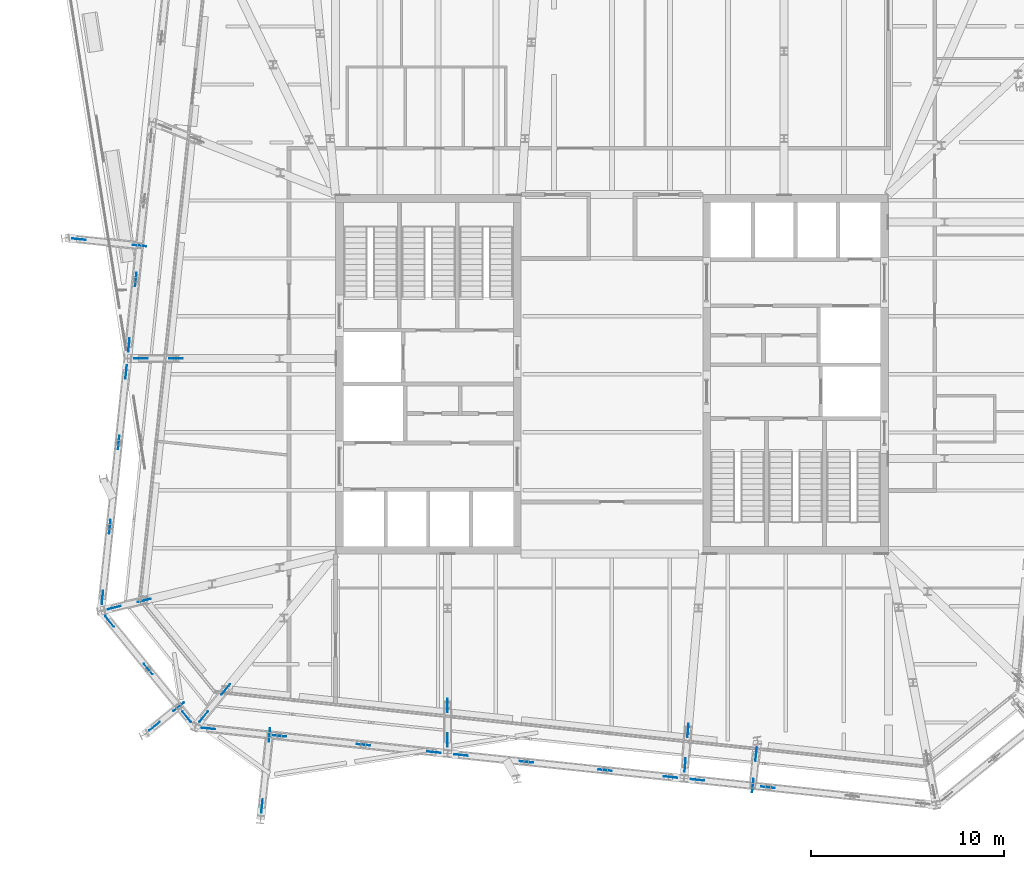
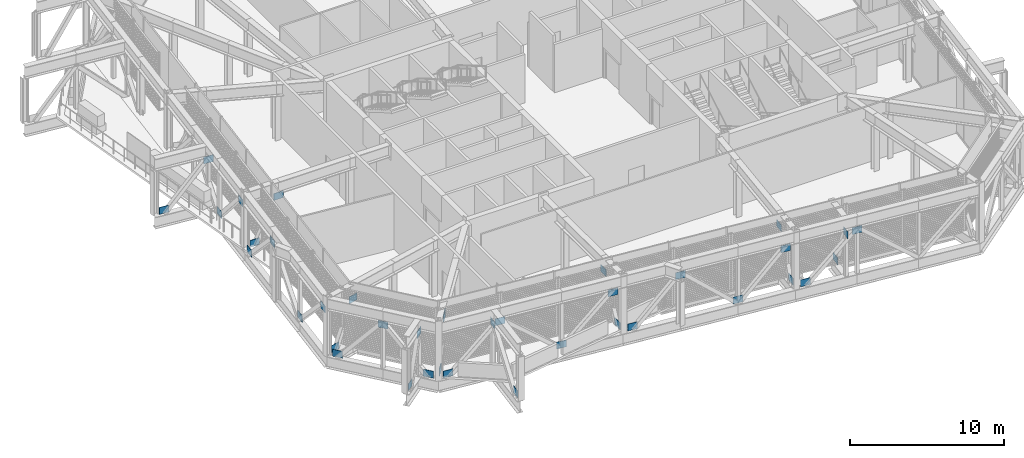
# One storey, part 30 of 36: 37 discrete accessories.
"""IFC4 building model written with IfcOpenShell, lengths in metres."""

from ifc_helpers import new_model, si_unit, direction, frame, origin, origin_2d, place, context, subcontext, project, spatial, rectangle, extrude, material, layer, layer_set, type_object, element, save


model = new_model("IFC4")

# Units and contexts
model_context = context("Model", 3, precision=1e-05, world=origin(), true_north=direction((0.0, 1.0)))
body_context = subcontext(model_context, "Body", "Model", "MODEL_VIEW")
ifc_project = project(units=[si_unit("LENGTHUNIT", "METRE"), si_unit("AREAUNIT", "SQUARE_METRE"), si_unit("VOLUMEUNIT", "CUBIC_METRE"), si_unit("PLANEANGLEUNIT", "RADIAN"), si_unit("MASSUNIT", "GRAM", prefix="KILO")], contexts=[model_context])

# Site, building, storey
site_placement = place(None, origin())
site = spatial("IfcSite", under=ifc_project, at=site_placement, CompositionType="ELEMENT")
building_placement = place(site_placement, origin())
building = spatial("IfcBuilding", under=site, at=building_placement, Name="Millrace Tower", CompositionType="ELEMENT")
storey_placement = place(building_placement, frame((0.0, 0.0, 271.39990234375)))
storey = spatial("IfcBuildingStorey", under=building, at=storey_placement, Name="L62", CompositionType="ELEMENT", Elevation=271.39990234375)

# Discrete accessories
ifc_material = material(Name="Steel ASTM A572 Grade 50", Category="steel")
ifc_layer = layer(ifc_material, 0.02490234375)
ifc_layer_set = layer_set([ifc_layer], Name="Steel ASTM A572 Grade 50")
discrete_accessory_type = type_object("IfcDiscreteAccessoryType", Name="Truss gusset plate 700x550x25", PredefinedType="BRACKET", material=ifc_layer_set)
for number, where, z_axis, x_axis, name in (
    (1, (-26.209228515625, -12.5078125, 0.114990234375), (0.629278502617, -0.777179880172, 0.0), (0.777179880172, 0.629278502617, 0.0), "Truss gusset plate TRS-L62-R01-D01 foot"),
    (2, (-24.215087890625, -14.970458984375, 3.2177734375), (0.629489125943, -0.777009292299, 0.0), (0.777009292299, 0.629489125943, 0.0), "Truss gusset plate TRS-L62-R01-D01 head"),
    (3, (-22.220703125, -17.433349609375, 0.114990234375), (0.629278502617, -0.777179880172, 0.0), (0.777179880172, 0.629278502617, 0.0), "Truss gusset plate TRS-L62-R01-D02 foot"),
):
    element("IfcDiscreteAccessory", number, at=place(storey_placement, frame(where, z_axis=z_axis, x_axis=x_axis)), inside=storey, type_object=discrete_accessory_type, Name=name, PredefinedType="BRACKET", context=body_context, shape_type="SweptSolid", body=[
        extrude(rectangle(XDim=0.02490234375, YDim=0.550048828125, at=origin_2d()), origin(), (0.0, 0.0, 1.0), 0.699951171875),
    ])
for number, where, z_axis, x_axis, name in (
    (4, (-21.2119140625, -18.285888671875, 0.114990234375), (0.994549313552, -0.104267266743, 0.0), (0.104267266743, 0.994549313552, 0.0), "Truss gusset plate TRS-L62-R02-D01 foot"),
    (5, (-17.555908203125, -18.670166015625, 3.2177734375), (0.99451309317, -0.104612176701, 0.0), (0.104612176701, 0.99451309317, 0.0), "Truss gusset plate TRS-L62-R02-D01 head"),
):
    element("IfcDiscreteAccessory", number, at=place(storey_placement, frame(where, z_axis=z_axis, x_axis=x_axis)), inside=storey, type_object=discrete_accessory_type, Name=name, PredefinedType="BRACKET", context=body_context, shape_type="SweptSolid", body=[
        extrude(rectangle(XDim=0.02490234375, YDim=0.550048828125, at=origin_2d()), origin(), (0.0, 0.0, 1.0), 0.7001953125),
    ])
for number, where, z_axis, x_axis, name in (
    (6, (-13.20361328125, -19.127685546875, 0.114990234375), (0.994545520413, -0.10430344111, 0.0), (0.10430344111, 0.994545520413, 0.0), "Truss gusset plate TRS-L62-R02-D02 foot"),
    (7, (-9.547607421875, -19.51171875, 3.2177734375), (0.994509275033, -0.104648468085, 0.0), (0.104648468085, 0.994509275033, 0.0), "Truss gusset plate TRS-L62-R02-D03 head"),
):
    element("IfcDiscreteAccessory", number, at=place(storey_placement, frame(where, z_axis=z_axis, x_axis=x_axis)), inside=storey, type_object=discrete_accessory_type, Name=name, PredefinedType="BRACKET", context=body_context, shape_type="SweptSolid", body=[
        extrude(rectangle(XDim=0.02490234375, YDim=0.550048828125, at=origin_2d()), origin(), (0.0, 0.0, 1.0), 0.699951171875),
    ])
discrete_accessory_1_placement = place(storey_placement, frame((-8.1552734375, -19.658203125, 0.114990234375), z_axis=(0.994549313552, -0.104267266743, 0.0), x_axis=(0.104267266743, 0.994549313552, 0.0)))
element("IfcDiscreteAccessory", 8, at=discrete_accessory_1_placement, inside=storey, type_object=discrete_accessory_type, Name="Truss gusset plate TRS-L62-R03-D01 foot", PredefinedType="BRACKET", context=body_context, shape_type="SweptSolid", body=[
    extrude(rectangle(XDim=0.02490234375, YDim=0.550048828125, at=origin_2d()), origin(), (0.0, 0.0, 1.0), 0.7001953125),
])
for number, where, z_axis, x_axis, name in (
    (9, (-4.77392578125, -20.013427734375, 3.2177734375), (0.994509275033, -0.104648468085, 0.0), (0.104648468085, 0.994509275033, 0.0), "Truss gusset plate TRS-L62-R03-D01 head"),
    (10, (-0.6962890625, -20.442138671875, 0.114990234375), (0.994509275033, -0.104648468085, 0.0), (0.104648468085, 0.994509275033, 0.0), "Truss gusset plate TRS-L62-R03-D02 foot"),
    (11, (2.68505859375, -20.797607421875, 3.2177734375), (0.994545520413, -0.10430344111, 0.0), (0.10430344111, 0.994545520413, 0.0), "Truss gusset plate TRS-L62-R03-D03 head"),
    (12, (4.077392578125, -20.94384765625, 0.114990234375), (0.994509275033, -0.104648468085, 0.0), (0.104648468085, 0.994509275033, 0.0), "Truss gusset plate TRS-L62-R04-D01 foot"),
    (13, (7.7333984375, -21.328125, 3.2177734375), (0.994509275033, -0.104648468085, 0.0), (0.104648468085, 0.994509275033, 0.0), "Truss gusset plate TRS-L62-R04-D01 head"),
    (14, (-24.665283203125, 4.55029296875, 0.114990234375), (0.104648468085, 0.994509275033, 0.0), (-0.994509275033, 0.104648468085, 0.0), "Truss gusset plate TRS-L62-R15-D02 foot"),
    (15, (-25.020751953125, 1.1689453125, 3.2177734375), (0.104648468085, 0.994509275033, 0.0), (-0.994509275033, 0.104648468085, 0.0), "Truss gusset plate TRS-L62-R15-D03 head"),
    (16, (-25.1669921875, -0.223388671875, 0.114990234375), (0.10430344111, 0.994545520413, 0.0), (-0.994545520413, 0.10430344111, 0.0), "Truss gusset plate TRS-L62-R16-D01 foot"),
    (17, (-25.55126953125, -3.87939453125, 3.2177734375), (0.104648468085, 0.994509275033, 0.0), (-0.994509275033, 0.104648468085, 0.0), "Truss gusset plate TRS-L62-R16-D01 head"),
):
    element("IfcDiscreteAccessory", number, at=place(storey_placement, frame(where, z_axis=z_axis, x_axis=x_axis)), inside=storey, type_object=discrete_accessory_type, Name=name, PredefinedType="BRACKET", context=body_context, shape_type="SweptSolid", body=[
        extrude(rectangle(XDim=0.02490234375, YDim=0.550048828125, at=origin_2d()), origin(), (0.0, 0.0, 1.0), 0.699951171875),
    ])
for number, where, z_axis, x_axis, name in (
    (18, (-26.0087890625, -8.231689453125, 0.114990234375), (0.104612176701, 0.99451309317, 0.0), (-0.99451309317, 0.104612176701, 0.0), "Truss gusset plate TRS-L62-R16-D02 foot"),
    (19, (-26.39306640625, -11.8876953125, 3.2177734375), (0.104612176701, 0.99451309317, 0.0), (-0.99451309317, 0.104612176701, 0.0), "Truss gusset plate TRS-L62-R16-D03 head"),
):
    element("IfcDiscreteAccessory", number, at=place(storey_placement, frame(where, z_axis=z_axis, x_axis=x_axis)), inside=storey, type_object=discrete_accessory_type, Name=name, PredefinedType="BRACKET", context=body_context, shape_type="SweptSolid", body=[
        extrude(rectangle(XDim=0.02490234375, YDim=0.550048828125, at=origin_2d()), origin(), (0.0, 0.0, 1.0), 0.7001953125),
    ])
for number, where, z_axis, x_axis, name in (
    (20, (-26.08935546875, -12.1533203125, 0.114990234375), (0.971980625969, 0.235060976643, 0.0), (-0.235060976643, 0.971980625969, 0.0), "Truss gusset plate TRS-L62-C01-D01 foot"),
    (21, (-24.5341796875, -11.777099609375, 3.2177734375), (0.971881562639, 0.235470227847, 0.0), (-0.235470227847, 0.971881562639, 0.0), "Truss gusset plate TRS-L62-C01-D01 head"),
    (22, (-21.33935546875, -17.9775390625, 0.114990234375), (0.629870202712, 0.776700410542, 0.0), (-0.776700410542, 0.629870202712, 0.0), "Truss gusset plate TRS-L62-C02-D01 foot"),
    (23, (-20.205322265625, -16.57958984375, 3.2177734375), (0.629870202712, 0.776700410542, 0.0), (-0.776700410542, 0.629870202712, 0.0), "Truss gusset plate TRS-L62-C02-D01 head"),
    (24, (-8.50341796875, -19.271484375, 0.114990234375), (0.0, 1.0, 0.0), (-1.0, 0.0, 0.0), "Truss gusset plate TRS-L62-C03-D01 foot"),
):
    element("IfcDiscreteAccessory", number, at=place(storey_placement, frame(where, z_axis=z_axis, x_axis=x_axis)), inside=storey, type_object=discrete_accessory_type, Name=name, PredefinedType="BRACKET", context=body_context, shape_type="SweptSolid", body=[
        extrude(rectangle(XDim=0.02490234375, YDim=0.550048828125, at=origin_2d()), origin(), (0.0, 0.0, 1.0), 0.699951171875),
    ])
for number, where, z_axis, x_axis, name in (
    (25, (-8.50341796875, -17.4716796875, 3.2177734375), (0.0, 1.0, 0.0), (-1.0, 0.0, 0.0), "Truss gusset plate TRS-L62-C03-D01 head"),
    (26, (3.75830078125, -20.55859375, 0.114990234375), (0.08333403746, 0.99652166971, 0.0), (-0.99652166971, 0.08333403746, 0.0), "Truss gusset plate TRS-L62-C04-D01 foot"),
):
    element("IfcDiscreteAccessory", number, at=place(storey_placement, frame(where, z_axis=z_axis, x_axis=x_axis)), inside=storey, type_object=discrete_accessory_type, Name=name, PredefinedType="BRACKET", context=body_context, shape_type="SweptSolid", body=[
        extrude(rectangle(XDim=0.02490234375, YDim=0.550048828125, at=origin_2d()), origin(), (0.0, 0.0, 1.0), 0.7001953125),
    ])
for number, where, z_axis, x_axis, name in (
    (27, (3.908447265625, -18.7646484375, 3.2177734375), (0.083363003164, 0.996519247031, 0.0), (-0.996519247031, 0.083363003164, 0.0), "Truss gusset plate TRS-L62-C04-D01 head"),
    (28, (-24.707275390625, 0.82080078125, 0.114990234375), (1.0, 0.0, 0.0), (0.0, 1.0, 0.0), "Truss gusset plate TRS-L62-C16-D01 foot"),
    (29, (-22.9072265625, 0.82080078125, 3.2177734375), (1.0, 0.0, 0.0), (0.0, 1.0, 0.0), "Truss gusset plate TRS-L62-C16-D01 head"),
):
    element("IfcDiscreteAccessory", number, at=place(storey_placement, frame(where, z_axis=z_axis, x_axis=x_axis)), inside=storey, type_object=discrete_accessory_type, Name=name, PredefinedType="BRACKET", context=body_context, shape_type="SweptSolid", body=[
        extrude(rectangle(XDim=0.02490234375, YDim=0.550048828125, at=origin_2d()), origin(), (0.0, 0.0, 1.0), 0.699951171875),
    ])
discrete_accessory_2_placement = place(storey_placement, frame((-23.93408203125, -18.426025390625, 0.114990234375), z_axis=(0.777317955336, 0.629107936934, 0.0), x_axis=(-0.629107936934, 0.777317955336, 0.0)))
element("IfcDiscreteAccessory", 30, at=discrete_accessory_2_placement, inside=storey, type_object=discrete_accessory_type, Name="Truss gusset plate TRS-L62-B-D-X01-D01 foot", PredefinedType="BRACKET", context=body_context, shape_type="SweptSolid", body=[
    extrude(rectangle(XDim=0.02490234375, YDim=0.550048828125, at=origin_2d()), origin(), (0.0, 0.0, 1.0), 0.7001953125),
])
discrete_accessory_3_placement = place(storey_placement, frame((-22.685546875, -17.415283203125, 3.2177734375), z_axis=(0.777009292299, 0.629489125943, 0.0), x_axis=(-0.629489125943, 0.777009292299, 0.0)))
element("IfcDiscreteAccessory", 31, at=discrete_accessory_3_placement, inside=storey, type_object=discrete_accessory_type, Name="Truss gusset plate TRS-L62-B-D-X01-D01 head", PredefinedType="BRACKET", context=body_context, shape_type="SweptSolid", body=[
    extrude(rectangle(XDim=0.02490234375, YDim=0.550048828125, at=origin_2d()), origin(), (0.0, 0.0, 1.0), 0.699951171875),
])
discrete_accessory_4_placement = place(storey_placement, frame((-18.13818359375, -22.680419921875, 0.114990234375), z_axis=(0.104612176701, 0.99451309317, 0.0), x_axis=(-0.99451309317, 0.104612176701, 0.0)))
element("IfcDiscreteAccessory", 32, at=discrete_accessory_4_placement, inside=storey, type_object=discrete_accessory_type, Name="Truss gusset plate TRS-L62-B-D-X02-D01 foot", PredefinedType="BRACKET", context=body_context, shape_type="SweptSolid", body=[
    extrude(rectangle(XDim=0.02490234375, YDim=0.550048828125, at=origin_2d()), origin(), (0.0, 0.0, 1.0), 0.7001953125),
])
discrete_accessory_5_placement = place(storey_placement, frame((-17.75146484375, -19.00146484375, 3.2177734375), z_axis=(0.104648468085, 0.994509275033, 0.0), x_axis=(-0.994509275033, 0.104648468085, 0.0)))
element("IfcDiscreteAccessory", 33, at=discrete_accessory_5_placement, inside=storey, type_object=discrete_accessory_type, Name="Truss gusset plate TRS-L62-B-D-X02-D01 head", PredefinedType="BRACKET", context=body_context, shape_type="SweptSolid", body=[
    extrude(rectangle(XDim=0.02490234375, YDim=0.550048828125, at=origin_2d()), origin(), (0.0, 0.0, 1.0), 0.699951171875),
])
discrete_accessory_6_placement = place(storey_placement, frame((7.423583984375, -20.0009765625, 0.114990234375), z_axis=(0.104267266743, 0.994549313552, 0.0), x_axis=(-0.994549313552, 0.104267266743, 0.0)))
element("IfcDiscreteAccessory", 34, at=discrete_accessory_6_placement, inside=storey, type_object=discrete_accessory_type, Name="Truss gusset plate TRS-L62-B-D-X04-D01 foot", PredefinedType="BRACKET", context=body_context, shape_type="SweptSolid", body=[
    extrude(rectangle(XDim=0.02490234375, YDim=0.550048828125, at=origin_2d()), origin(), (0.0, 0.0, 1.0), 0.7001953125),
])
discrete_accessory_7_placement = place(storey_placement, frame((7.25244140625, -21.62939453125, 3.2177734375), z_axis=(0.10430344111, 0.994545520413, 0.0), x_axis=(-0.994545520413, 0.10430344111, 0.0)))
element("IfcDiscreteAccessory", 35, at=discrete_accessory_7_placement, inside=storey, type_object=discrete_accessory_type, Name="Truss gusset plate TRS-L62-B-D-X04-D01 head", PredefinedType="BRACKET", context=body_context, shape_type="SweptSolid", body=[
    extrude(rectangle(XDim=0.02490234375, YDim=0.550048828125, at=origin_2d()), origin(), (0.0, 0.0, 1.0), 0.699951171875),
])
discrete_accessory_8_placement = place(storey_placement, frame((-27.9296875, 7.02490234375, 0.114990234375), z_axis=(0.994549313552, -0.104267266743, 0.0), x_axis=(0.104267266743, 0.994549313552, 0.0)))
element("IfcDiscreteAccessory", 36, at=discrete_accessory_8_placement, inside=storey, type_object=discrete_accessory_type, Name="Truss gusset plate TRS-L62-B-D-X15-D01 foot", PredefinedType="BRACKET", context=body_context, shape_type="SweptSolid", body=[
    extrude(rectangle(XDim=0.02490234375, YDim=0.550048828125, at=origin_2d()), origin(), (0.0, 0.0, 1.0), 0.7001953125),
])
discrete_accessory_9_placement = place(storey_placement, frame((-24.791748046875, 6.6953125, 3.2177734375), z_axis=(0.994509275033, -0.104648468085, 0.0), x_axis=(0.104648468085, 0.994509275033, 0.0)))
element("IfcDiscreteAccessory", 37, at=discrete_accessory_9_placement, inside=storey, type_object=discrete_accessory_type, Name="Truss gusset plate TRS-L62-B-D-X15-D01 head", PredefinedType="BRACKET", context=body_context, shape_type="SweptSolid", body=[
    extrude(rectangle(XDim=0.02490234375, YDim=0.550048828125, at=origin_2d()), origin(), (0.0, 0.0, 1.0), 0.699951171875),
])

save(model, "model.ifc")
